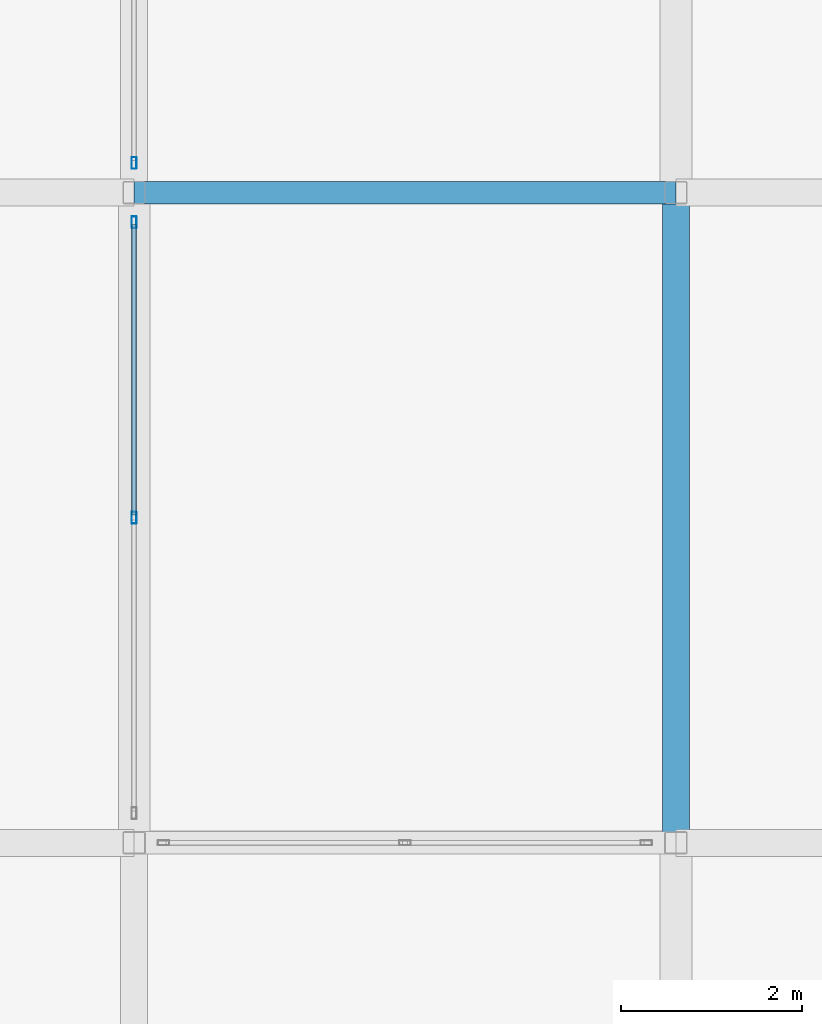
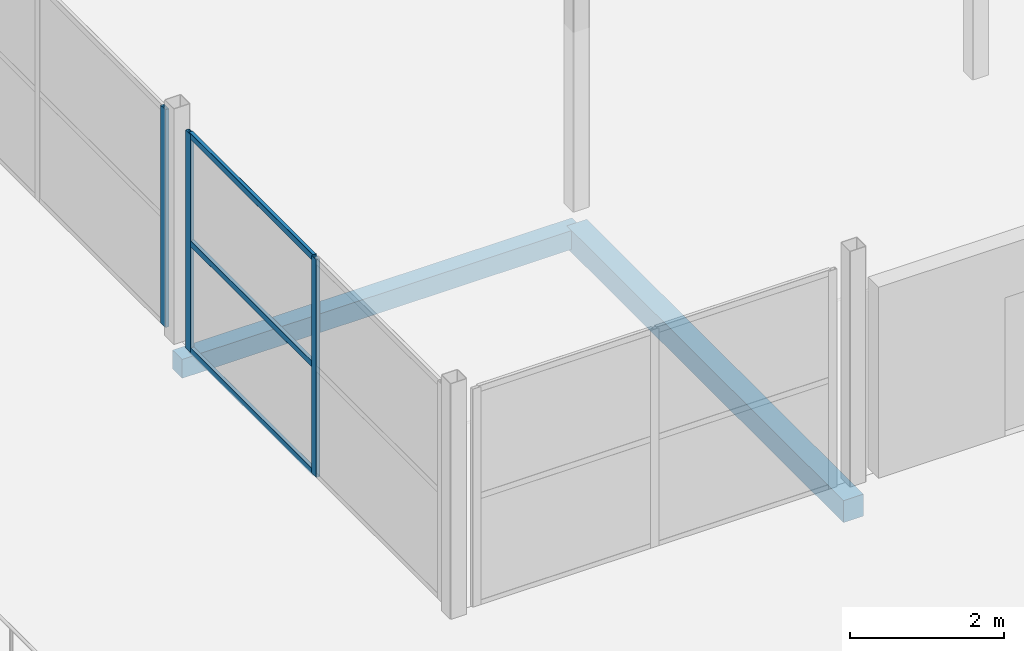
# One storey, part 31 of 239: 6 members, 2 beams, 2 elements without a shape of their own.
"""IFC4 building model written with IfcOpenShell, lengths in metres."""

from ifc_helpers import new_model, si_unit, direction, frame, origin, origin_2d, place, context, subcontext, project, spatial, rectangle, hollow_rectangle, extrude, material, layer, layer_set, material_profile, profile_set, type_object, element, aggregate, save


model = new_model("IFC4")

# Units and contexts
model_context = context("Model", 3, precision=1e-05, world=origin(), true_north=direction((0.0, 1.0)))
body_context = subcontext(model_context, "Body", "Model", "MODEL_VIEW")
ifc_project = project(units=[si_unit("LENGTHUNIT", "METRE"), si_unit("AREAUNIT", "SQUARE_METRE"), si_unit("VOLUMEUNIT", "CUBIC_METRE"), si_unit("PLANEANGLEUNIT", "RADIAN"), si_unit("MASSUNIT", "GRAM", prefix="KILO")], contexts=[model_context])

# Site, building, storey
site_placement = place(None, origin())
site = spatial("IfcSite", under=ifc_project, at=site_placement, CompositionType="ELEMENT")
building_placement = place(site_placement, origin())
building = spatial("IfcBuilding", under=site, at=building_placement, Name="Dunvalen Ferry Terminal", CompositionType="ELEMENT")
storey_placement = place(building_placement, frame((0.0, 0.0, 9.840087890625)))
storey = spatial("IfcBuildingStorey", under=building, at=storey_placement, Name="L02", CompositionType="ELEMENT", Elevation=9.840087890625)

# Curtain wall, members
ifc_material_1 = material(Name="Anodised marine aluminium and solar-control glazing", Category="aluminium")
ifc_layer = layer(ifc_material_1, 0.159912109375, Name="Anodised marine aluminium and solar-control glazing")
ifc_layer_set = layer_set([ifc_layer], Name="Anodised marine aluminium and solar-control glazing")
curtain_wall_type = type_object("IfcCurtainWallType", Name="ENV-CW-SYS-10", PredefinedType="NOTDEFINED", material=ifc_layer_set)
curtain_wall_1_placement = place(storey_placement, origin())
curtain_wall_1 = element("IfcCurtainWall", 1, at=curtain_wall_1_placement, inside=storey, type_object=curtain_wall_type, Name="L02 Curtain Wall CW-PAV-W-1", PredefinedType="NOTDEFINED")
ifc_material_2 = material(Name="Anodised marine aluminium EN AW-6063 T6", Category="aluminium")
ifc_material_profile_1 = material_profile(ifc_material_2, hollow_rectangle(XDim=0.054931640625, YDim=0.1298828125, WallThickness=0.003173828125, InnerFilletRadius=0.003173828125, OuterFilletRadius=0.00634765625, at=origin_2d()), Name="Anodised marine aluminium EN AW-6063 T6")
ifc_profile_set_1 = profile_set([ifc_material_profile_1], Name="Anodised marine aluminium EN AW-6063 T6")
member_type_1 = type_object("IfcMemberType", Name="ENV-CW-MUL-4", PredefinedType="MULLION", material=ifc_profile_set_1)
member_1_placement = place(storey_placement, frame((114.0, 18.0, 0.0), z_axis=(0.0, 0.0, 1.0), x_axis=(-1.0, 0.0, 0.0)))
member_1 = element("IfcMember", 2, at=member_1_placement, type_object=member_type_1, Name="CW-10 mullion 2", PredefinedType="MULLION", context=body_context, shape_type="SweptSolid", body=[
    extrude(hollow_rectangle(XDim=0.054931640625, YDim=0.1298828125, WallThickness=0.003173828125, InnerFilletRadius=0.003173828125, OuterFilletRadius=0.00634765625, at=origin_2d()), origin(), (0.0, 0.0, 1.0), 3.4599609375),
])
member_2_placement = place(storey_placement, frame((114.0, 21.2724609375, 0.0), z_axis=(0.0, 0.0, 1.0), x_axis=(-1.0, 0.0, 0.0)))
member_2 = element("IfcMember", 3, at=member_2_placement, type_object=member_type_1, Name="CW-10 mullion 3", PredefinedType="MULLION", context=body_context, shape_type="SweptSolid", body=[
    extrude(hollow_rectangle(XDim=0.054931640625, YDim=0.1298828125, WallThickness=0.003173828125, InnerFilletRadius=0.003173828125, OuterFilletRadius=0.00634765625, at=origin_2d()), origin(), (0.0, 0.0, 1.0), 3.4599609375),
])

# Curtain wall, member
curtain_wall_2_placement = place(storey_placement, origin())
curtain_wall_2 = element("IfcCurtainWall", 4, at=curtain_wall_2_placement, inside=storey, type_object=curtain_wall_type, Name="L02 Curtain Wall CW-PAV-W-2", PredefinedType="NOTDEFINED")
member_3_placement = place(storey_placement, frame((114.0, 21.927490234375, 0.0), z_axis=(0.0, 0.0, 1.0), x_axis=(-1.0, 0.0, 0.0)))
member_3 = element("IfcMember", 5, at=member_3_placement, type_object=member_type_1, Name="CW-10 mullion 1", PredefinedType="MULLION", context=body_context, shape_type="SweptSolid", body=[
    extrude(hollow_rectangle(XDim=0.054931640625, YDim=0.1298828125, WallThickness=0.003173828125, InnerFilletRadius=0.003173828125, OuterFilletRadius=0.00634765625, at=origin_2d()), origin(), (0.0, 0.0, 1.0), 3.4599609375),
])
aggregate(curtain_wall_2, [member_3])

# Member
ifc_material_profile_2 = material_profile(ifc_material_2, hollow_rectangle(XDim=0.054931640625, YDim=0.10009765625, WallThickness=0.0029296875, InnerFilletRadius=0.0029296875, OuterFilletRadius=0.006103515625, at=origin_2d()), Name="Anodised marine aluminium EN AW-6063 T6")
ifc_profile_set_2 = profile_set([ifc_material_profile_2], Name="Anodised marine aluminium EN AW-6063 T6")
member_type_2 = type_object("IfcMemberType", Name="ENV-CW-TRN-4", PredefinedType="USERDEFINED", material=ifc_profile_set_2)
member_4_placement = place(storey_placement, frame((114.0, 18.027587890625, 0.02734375), z_axis=(0.0, 1.0, 0.0), x_axis=(-1.0, 0.0, 0.0)))
member_4 = element("IfcMember", 6, at=member_4_placement, type_object=member_type_2, Name="CW-10 transom 2.1", ObjectType="TRANSOM", PredefinedType="USERDEFINED", context=body_context, shape_type="SweptSolid", body=[
    extrude(hollow_rectangle(XDim=0.054931640625, YDim=0.10009765625, WallThickness=0.0029296875, InnerFilletRadius=0.0029296875, OuterFilletRadius=0.006103515625, at=origin_2d()), origin(), (0.0, 0.0, 1.0), 3.217529296875),
])

member_5_placement = place(storey_placement, frame((114.0, 18.027587890625, 1.72998046875), z_axis=(0.0, 1.0, 0.0), x_axis=(-1.0, 0.0, 0.0)))
member_5 = element("IfcMember", 7, at=member_5_placement, type_object=member_type_2, Name="CW-10 transom 2.2", ObjectType="TRANSOM", PredefinedType="USERDEFINED", context=body_context, shape_type="SweptSolid", body=[
    extrude(hollow_rectangle(XDim=0.054931640625, YDim=0.10009765625, WallThickness=0.0029296875, InnerFilletRadius=0.0029296875, OuterFilletRadius=0.006103515625, at=origin_2d()), origin(), (0.0, 0.0, 1.0), 3.217529296875),
])

member_6_placement = place(storey_placement, frame((114.0, 18.027587890625, 3.432373046875), z_axis=(0.0, 1.0, 0.0), x_axis=(-1.0, 0.0, 0.0)))
member_6 = element("IfcMember", 8, at=member_6_placement, type_object=member_type_2, Name="CW-10 transom 2.3", ObjectType="TRANSOM", PredefinedType="USERDEFINED", context=body_context, shape_type="SweptSolid", body=[
    extrude(hollow_rectangle(XDim=0.054931640625, YDim=0.10009765625, WallThickness=0.0029296875, InnerFilletRadius=0.0029296875, OuterFilletRadius=0.006103515625, at=origin_2d()), origin(), (0.0, 0.0, 1.0), 3.217529296875),
])

aggregate(curtain_wall_1, [member_1, member_2, member_4, member_5, member_6])

# Beams
ifc_material_3 = material(Name="Concrete C35/45", Category="concrete")
ifc_material_profile_3 = material_profile(ifc_material_3, rectangle(XDim=0.25, YDim=0.300048828125, at=origin_2d()), Name="Concrete C35/45")
ifc_profile_set_3 = profile_set([ifc_material_profile_3], Name="Concrete C35/45")
beam_type_1 = type_object("IfcBeamType", Name="STR-BM-RCL300", PredefinedType="LINTEL", material=ifc_profile_set_3)
beam_1_placement = place(storey_placement, frame((114.0, 21.60009765625, -0.43017578125), z_axis=(1.0, 0.0, 0.0), x_axis=(0.0, 1.0, 0.0)))
element("IfcBeam", 9, at=beam_1_placement, inside=storey, type_object=beam_type_1, Name="L02 V4 Primary Beam X-029", PredefinedType="LINTEL", context=body_context, shape_type="SweptSolid", body=[
    extrude(rectangle(XDim=0.25, YDim=0.300048828125, at=origin_2d()), origin(), (0.0, 0.0, 1.0), 6.0),
])
ifc_material_4 = material(Name="Concrete C40/50", Category="concrete")
ifc_material_profile_4 = material_profile(ifc_material_4, rectangle(XDim=0.300048828125, YDim=0.35009765625, at=origin_2d()), Name="Concrete C40/50")
ifc_profile_set_4 = profile_set([ifc_material_profile_4], Name="Concrete C40/50")
beam_type_2 = type_object("IfcBeamType", Name="STR-BM-RCL350", PredefinedType="LINTEL", material=ifc_profile_set_4)
beam_2_placement = place(storey_placement, frame((120.0, 14.39990234375, -0.455078125), z_axis=(0.0, 1.0, 0.0), x_axis=(-1.0, 0.0, 0.0)))
element("IfcBeam", 10, at=beam_2_placement, inside=storey, type_object=beam_type_2, Name="L02 V4 Primary Girder Y-076", PredefinedType="LINTEL", context=body_context, shape_type="SweptSolid", body=[
    extrude(rectangle(XDim=0.300048828125, YDim=0.35009765625, at=origin_2d()), origin(), (0.0, 0.0, 1.0), 7.2001953125),
])

save(model, "model.ifc")
